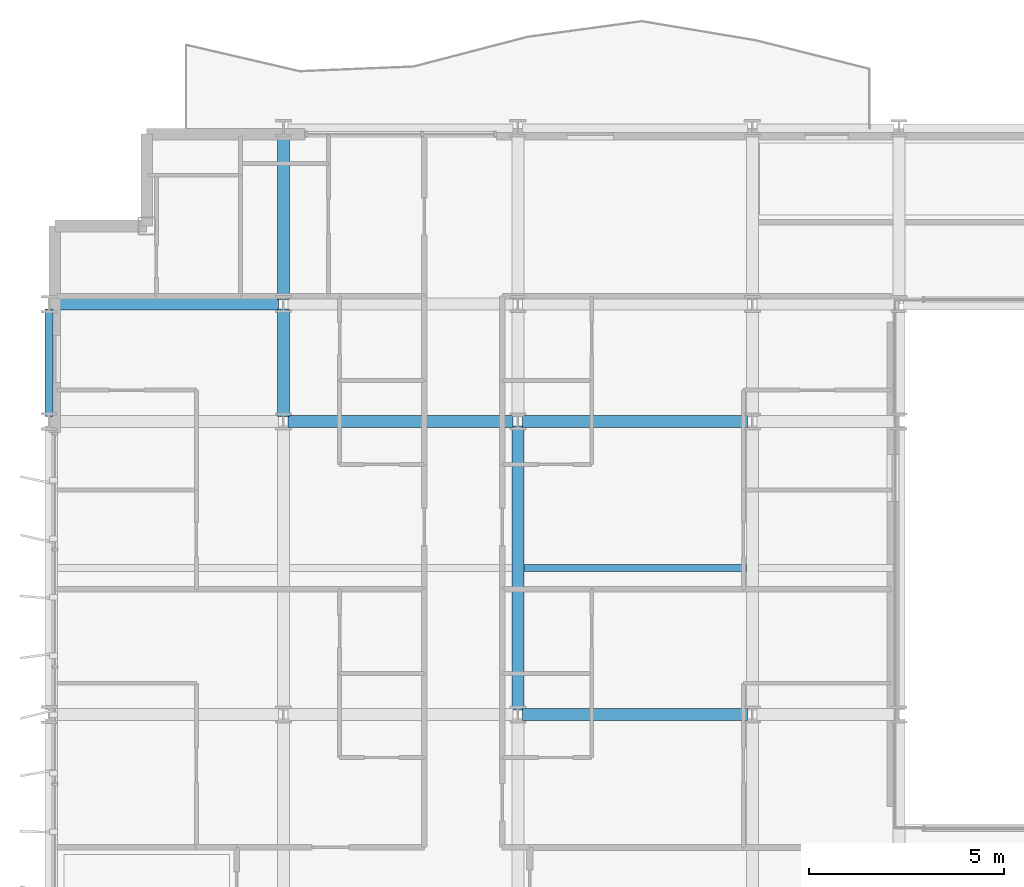
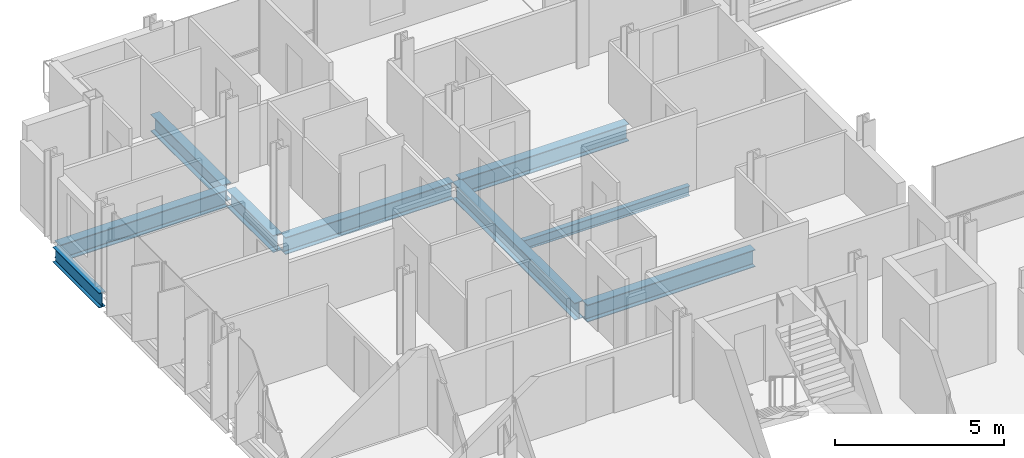
# One storey, part 6 of 39: 9 beams.
"""IFC4 building model written with IfcOpenShell, lengths in metres."""

from ifc_helpers import new_model, si_unit, direction, frame, origin, origin_2d, place, context, subcontext, project, spatial, i_section, extrude, material, material_profile, profile_set, type_object, element, save


model = new_model("IFC4")

# Units and contexts
model_context = context("Model", 3, precision=1e-05, world=origin(), true_north=direction((0.0, 1.0)))
body_context = subcontext(model_context, "Body", "Model", "MODEL_VIEW")
ifc_project = project(units=[si_unit("LENGTHUNIT", "METRE"), si_unit("AREAUNIT", "SQUARE_METRE"), si_unit("VOLUMEUNIT", "CUBIC_METRE"), si_unit("PLANEANGLEUNIT", "RADIAN"), si_unit("MASSUNIT", "GRAM", prefix="KILO")], contexts=[model_context])

# Site, building, storey
site_placement = place(None, origin())
site = spatial("IfcSite", under=ifc_project, at=site_placement, CompositionType="ELEMENT")
building_placement = place(site_placement, origin())
building = spatial("IfcBuilding", under=site, at=building_placement, Name="Brevholm Reach", CompositionType="ELEMENT")
storey_placement = place(building_placement, frame((0.0, 0.0, 83.800048828125)))
storey = spatial("IfcBuildingStorey", under=building, at=storey_placement, Name="L24", CompositionType="ELEMENT", Elevation=83.800048828125)

# Beams
ifc_material_1 = material(Name="Structural Steel S355J2", Category="steel")
ifc_material_profile_1 = material_profile(ifc_material_1, i_section(OverallWidth=0.17138671875, OverallDepth=0.35498046875, WebThickness=0.00732421875, FlangeThickness=0.011474609375, FilletRadius=0.01025390625, at=origin_2d()), Name="UKB 356x171x51")
ifc_profile_set_1 = profile_set([ifc_material_profile_1], Name="Structural Steel S355J2")
beam_type_1 = type_object("IfcBeamType", Name="BM-B356", PredefinedType="BEAM", material=ifc_profile_set_1)
beam_1_placement = place(storey_placement, frame((12.153564453125, 19.75, -0.407470703125), z_axis=(1.0, 0.0, 0.0), x_axis=(0.0, 1.0, 0.0)))
element("IfcBeam", 1, at=beam_1_placement, inside=storey, type_object=beam_type_1, Name="L24 Composite Secondary Floor Beam", PredefinedType="BEAM", context=body_context, shape_type="SweptSolid", body=[
    extrude(i_section(OverallWidth=0.17138671875, OverallDepth=0.35498046875, WebThickness=0.00732421875, FlangeThickness=0.011474609375, FilletRadius=0.01025390625, at=origin_2d()), origin(), (0.0, 0.0, 1.0), 5.69287109375),
])
ifc_material_2 = material(Name="Structural Steel S355J2", Category="steel")
ifc_material_profile_2 = material_profile(ifc_material_2, i_section(OverallWidth=0.210693359375, OverallDepth=0.53955078125, WebThickness=0.01171875, FlangeThickness=0.018798828125, FilletRadius=0.0126953125, at=origin_2d()), Name="UKB 533x210x109")
ifc_profile_set_2 = profile_set([ifc_material_profile_2], Name="Structural Steel S355J2")
beam_type_2 = type_object("IfcBeamType", Name="BM-SP539", PredefinedType="SPANDREL", material=ifc_profile_set_2)
beam_2_placement = place(storey_placement, frame((0.0, 23.6201171875, -0.499755859375), z_axis=(0.0, 1.0, 0.0), x_axis=(-1.0, 0.0, 0.0)))
element("IfcBeam", 2, at=beam_2_placement, inside=storey, type_object=beam_type_2, Name="L24 SP-01B Framing Beam", PredefinedType="SPANDREL", context=body_context, shape_type="SweptSolid", body=[
    extrude(i_section(OverallWidth=0.210693359375, OverallDepth=0.53955078125, WebThickness=0.01171875, FlangeThickness=0.018798828125, FilletRadius=0.0126953125, at=origin_2d()), origin(), (0.0, 0.0, 1.0), 2.759765625),
])
ifc_material_3 = material(Name="Structural Steel S355J2", Category="steel")
ifc_material_profile_3 = material_profile(ifc_material_3, i_section(OverallWidth=0.30712890625, OverallDepth=0.6201171875, WebThickness=0.01416015625, FlangeThickness=0.023681640625, FilletRadius=0.0166015625, at=origin_2d()), Name="UKB 610x305x179")
ifc_profile_set_3 = profile_set([ifc_material_profile_3], Name="Structural Steel S355J2")
beam_type_3 = type_object("IfcBeamType", Name="BM-UKB610H", PredefinedType="USERDEFINED", material=ifc_profile_set_3)
for number, where, z_axis, x_axis, name in (
    (3, (12.1201171875, 16.0, -0.5400390625), (1.0, 0.0, 0.0), (0.0, 1.0, 0.0), "L24 G-06 Framing Beam"),
    (4, (6.1201171875, 23.5, -0.5400390625), (1.0, 0.0, 0.0), (0.0, 1.0, 0.0), "L24 G-06 Framing Beam"),
    (5, (12.1201171875, 23.5, -0.5400390625), (1.0, 0.0, 0.0), (0.0, 1.0, 0.0), "L24 G-06 Framing Beam"),
    (6, (0.1201171875, 26.5, -0.5400390625), (1.0, 0.0, 0.0), (0.0, 1.0, 0.0), "L24 G-06 Framing Beam"),
):
    element("IfcBeam", number, at=place(storey_placement, frame(where, z_axis=z_axis, x_axis=x_axis)), inside=storey, type_object=beam_type_3, Name=name, ObjectType="GIRDER", PredefinedType="USERDEFINED", context=body_context, shape_type="SweptSolid", body=[
        extrude(i_section(OverallWidth=0.30712890625, OverallDepth=0.6201171875, WebThickness=0.01416015625, FlangeThickness=0.023681640625, FilletRadius=0.0166015625, at=origin_2d()), origin(), (0.0, 0.0, 1.0), 5.759765625),
    ])
beam_3_placement = place(storey_placement, frame((6.0, 23.6201171875, -0.5400390625), z_axis=(0.0, 1.0, 0.0), x_axis=(-1.0, 0.0, 0.0)))
element("IfcBeam", 7, at=beam_3_placement, inside=storey, type_object=beam_type_3, Name="L24 G-06 Framing Beam", ObjectType="GIRDER", PredefinedType="USERDEFINED", context=body_context, shape_type="SweptSolid", body=[
    extrude(i_section(OverallWidth=0.30712890625, OverallDepth=0.6201171875, WebThickness=0.01416015625, FlangeThickness=0.023681640625, FilletRadius=0.0166015625, at=origin_2d()), origin(), (0.0, 0.0, 1.0), 2.759765625),
])
beam_4_placement = place(storey_placement, frame((6.0, 26.6201171875, -0.5400390625), z_axis=(0.0, 1.0, 0.0), x_axis=(-1.0, 0.0, 0.0)))
element("IfcBeam", 8, at=beam_4_placement, inside=storey, type_object=beam_type_3, Name="L24 G-06 Framing Beam", ObjectType="GIRDER", PredefinedType="USERDEFINED", context=body_context, shape_type="SweptSolid", body=[
    extrude(i_section(OverallWidth=0.30712890625, OverallDepth=0.6201171875, WebThickness=0.01416015625, FlangeThickness=0.023681640625, FilletRadius=0.0166015625, at=origin_2d()), origin(), (0.0, 0.0, 1.0), 4.259765625),
])
beam_5_placement = place(storey_placement, frame((12.0, 16.1201171875, -0.5400390625), z_axis=(0.0, 1.0, 0.0), x_axis=(-1.0, 0.0, 0.0)))
element("IfcBeam", 9, at=beam_5_placement, inside=storey, type_object=beam_type_3, Name="L24 G-06 Framing Beam", ObjectType="GIRDER", PredefinedType="USERDEFINED", context=body_context, shape_type="SweptSolid", body=[
    extrude(i_section(OverallWidth=0.30712890625, OverallDepth=0.6201171875, WebThickness=0.01416015625, FlangeThickness=0.023681640625, FilletRadius=0.0166015625, at=origin_2d()), origin(), (0.0, 0.0, 1.0), 7.259765625),
])

save(model, "model.ifc")
